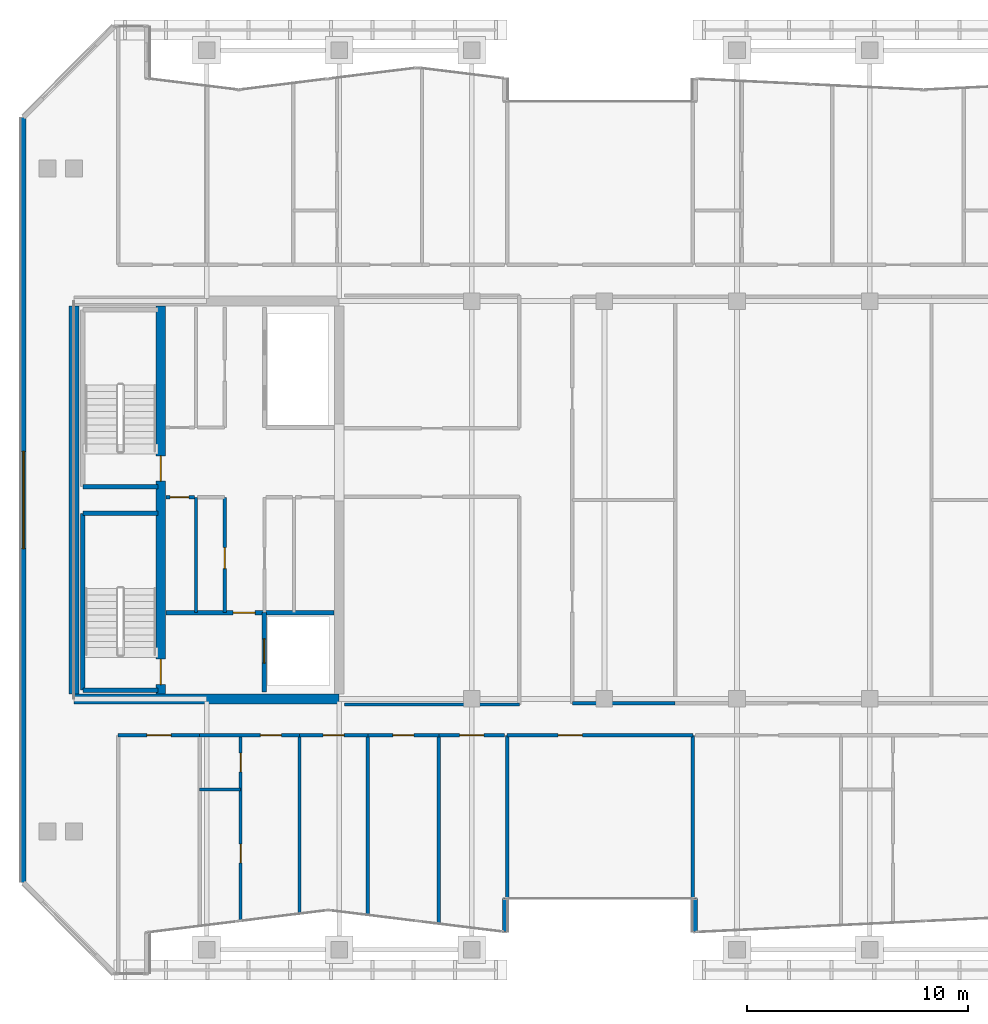
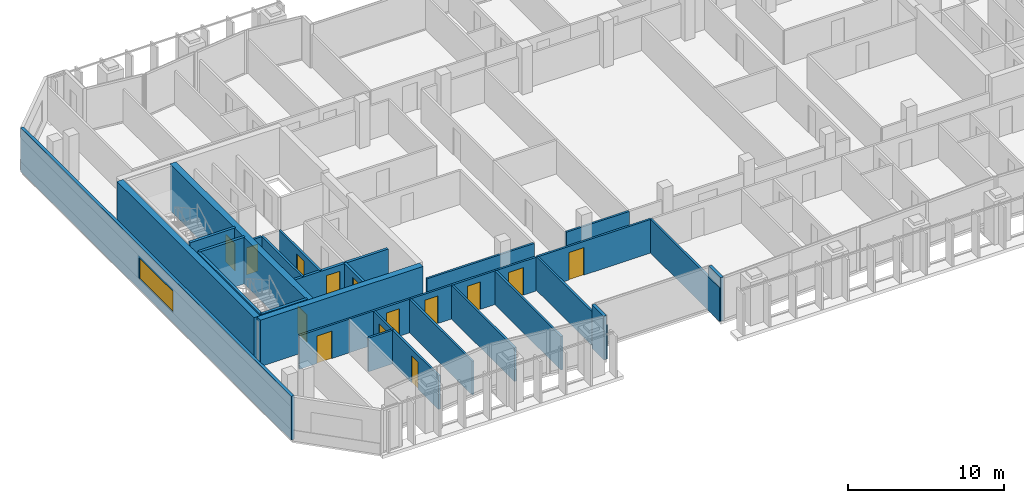
# One storey, part 21 of 32: 30 walls, 14 doors, 1 window, 15 openings.
"""IFC4 building model written with IfcOpenShell, lengths in metres."""

from ifc_helpers import new_model, si_unit, direction, frame, frame_2d, origin, place, context, subcontext, project, spatial, rectangle, extrude, material, layer, layer_set, type_object, element, fill, save


model = new_model("IFC4")

# Units and contexts
model_context = context("Model", 3, precision=1e-05, world=origin(), true_north=direction((0.0, 1.0)))
body_context = subcontext(model_context, "Body", "Model", "MODEL_VIEW")
ifc_project = project(units=[si_unit("LENGTHUNIT", "METRE"), si_unit("AREAUNIT", "SQUARE_METRE"), si_unit("VOLUMEUNIT", "CUBIC_METRE"), si_unit("PLANEANGLEUNIT", "RADIAN"), si_unit("MASSUNIT", "GRAM", prefix="KILO")], contexts=[model_context])

# Site, building, storey
site_placement = place(None, origin())
site = spatial("IfcSite", under=ifc_project, at=site_placement, CompositionType="ELEMENT")
building_placement = place(site_placement, origin())
building = spatial("IfcBuilding", under=site, at=building_placement, Name="Tanjung Sevakor Pilgrim Tower", CompositionType="ELEMENT")
storey_placement = place(building_placement, frame((0.0, 0.0, 211.860107421875)))
storey = spatial("IfcBuildingStorey", under=building, at=storey_placement, Name="L59", CompositionType="ELEMENT", Elevation=211.860107421875)

# Walls
ifc_material_1 = material(Name="Concrete C60/75", Category="concrete")
ifc_layer_1 = layer(ifc_material_1, 0.449951171875)
ifc_layer_set_1 = layer_set([ifc_layer_1], Name="WALL-CW-450")
wall_type_1 = type_object("IfcWallType", Name="WALL-CW-450", PredefinedType="SHEAR", material=ifc_layer_set_1)
wall_1_placement = place(storey_placement, frame((24.0, 24.60009765625, 0.0), z_axis=(0.0, 0.0, 1.0), x_axis=(1.0, 0.0, 0.0)))
element("IfcWall", 1, at=wall_1_placement, inside=storey, type_object=wall_type_1, Name="L59 W Core South Shear Wall", PredefinedType="SHEAR", context=body_context, shape_type="SweptSolid", body=[
    extrude(rectangle(XDim=12.0, YDim=0.449951171875, at=frame_2d((6.0, 0.0))), origin(), (0.0, 0.0, 1.0), 3.6298828125),
])
wall_2_placement = place(storey_placement, frame((24.0, 24.824951171875, 0.0), z_axis=(0.0, 0.0, 1.0), x_axis=(0.0, 1.0, 0.0)))
element("IfcWall", 2, at=wall_2_placement, inside=storey, type_object=wall_type_1, Name="L59 W Core Outer Shear Wall", PredefinedType="SHEAR", context=body_context, shape_type="SweptSolid", body=[
    extrude(rectangle(XDim=17.550048828125, YDim=0.449951171875, at=frame_2d((8.77490234375, 0.0))), origin(), (0.0, 0.0, 1.0), 3.6298828125),
])

# Wall, openings, doors
wall_3_placement = place(storey_placement, frame((27.925048828125, 24.824951171875, 0.0), z_axis=(0.0, 0.0, 1.0), x_axis=(0.0, 1.0, 0.0)))
wall_3 = element("IfcWall", 3, at=wall_3_placement, inside=storey, type_object=wall_type_1, Name="L59 W Core Stair Spine Wall", PredefinedType="SHEAR", context=body_context, shape_type="SweptSolid", body=[
    extrude(rectangle(XDim=17.550048828125, YDim=0.449951171875, at=frame_2d((8.77490234375, 0.0))), origin(), (0.0, 0.0, 1.0), 3.6298828125),
])
opening_1_placement = place(wall_3_placement, frame((0.425048828125, 0.0, 0.0)))
opening_1 = element("IfcOpeningElement", 4, at=opening_1_placement, cuts=wall_3, Name="Opening ID-ST1", PredefinedType="OPENING", context=body_context, shape_type="SweptSolid", body=[
    extrude(rectangle(XDim=1.14990234375, YDim=2.14990234375, at=frame_2d((0.574951171875, 1.074951171875))), frame((0.0, 0.23486328125, 0.0), z_axis=(0.0, -1.0, 0.0), x_axis=(1.0, 0.0, 0.0)), (0.0, 0.0, 1.0), 0.469970703125),
])
opening_2_placement = place(wall_3_placement, frame((9.625, 0.0, 0.0)))
opening_2 = element("IfcOpeningElement", 5, at=opening_2_placement, cuts=wall_3, Name="Opening ID-ST1", PredefinedType="OPENING", context=body_context, shape_type="SweptSolid", body=[
    extrude(rectangle(XDim=1.14990234375, YDim=2.14990234375, at=frame_2d((0.574951171875, 1.074951171875))), frame((0.0, 0.23486328125, 0.0), z_axis=(0.0, -1.0, 0.0), x_axis=(1.0, 0.0, 0.0)), (0.0, 0.0, 1.0), 0.469970703125),
])
ifc_material_2 = material(Name="Fire-Rated Steel S355J2", Category="steel")
door_type_1 = type_object("IfcDoorType", Name="DT-FIRE-1150", OperationType="NOTDEFINED", PredefinedType="DOOR", material=ifc_material_2)
door_1_placement = place(opening_1_placement, origin())
door_1 = element("IfcDoor", 6, at=door_1_placement, inside=storey, type_object=door_type_1, Name="L59 TS-W1 Stair Fire Door", OperationType="SINGLE_SWING_RIGHT", OverallHeight=2.14990234375, OverallWidth=1.14990234375, PredefinedType="DOOR", context=body_context, shape_type="SweptSolid", body=[
    extrude(rectangle(XDim=1.14990234375, YDim=2.14990234375, at=frame_2d((0.574951171875, 1.074951171875))), frame((0.0, 0.02490234375, 0.0), z_axis=(0.0, -1.0, 0.0), x_axis=(1.0, 0.0, 0.0)), (0.0, 0.0, 1.0), 0.050048828125),
])
fill(opening_1, door_1)
door_2_placement = place(opening_2_placement, origin())
door_2 = element("IfcDoor", 7, at=door_2_placement, inside=storey, type_object=door_type_1, Name="L59 TS-W2 Stair Fire Door", OperationType="SINGLE_SWING_LEFT", OverallHeight=2.14990234375, OverallWidth=1.14990234375, PredefinedType="DOOR", context=body_context, shape_type="SweptSolid", body=[
    extrude(rectangle(XDim=1.14990234375, YDim=2.14990234375, at=frame_2d((0.574951171875, 1.074951171875))), frame((0.0, 0.02490234375, 0.0), z_axis=(0.0, -1.0, 0.0), x_axis=(1.0, 0.0, 0.0)), (0.0, 0.0, 1.0), 0.050048828125),
])
fill(opening_2, door_2)

# Wall
ifc_material_3 = material(Name="Concrete C40/50", Category="concrete")
ifc_layer_2 = layer(ifc_material_3, 0.14990234375)
ifc_layer_set_2 = layer_set([ifc_layer_2], Name="WT-COMP-150")
wall_type_2 = type_object("IfcWallType", Name="WT-COMP-150", PredefinedType="SOLIDWALL", material=ifc_layer_set_2)
wall_4_placement = place(storey_placement, frame((29.52001953125, 28.5, 0.0), z_axis=(0.0, 0.0, 1.0), x_axis=(0.0, 1.0, 0.0)))
element("IfcWall", 8, at=wall_4_placement, inside=storey, type_object=wall_type_2, Name="L59 Partition IW-L59-003", PredefinedType="SOLIDWALL", context=body_context, shape_type="SweptSolid", body=[
    extrude(rectangle(XDim=5.219970703125, YDim=0.14990234375, at=frame_2d((2.60986328125, 0.0))), origin(), (0.0, 0.0, 1.0), 2.6298828125),
])

# Wall, opening, door
wall_5_placement = place(storey_placement, frame((28.169921875, 33.719970703125, 0.0), z_axis=(0.0, 0.0, 1.0), x_axis=(1.0, 0.0, 0.0)))
wall_5 = element("IfcWall", 9, at=wall_5_placement, inside=storey, type_object=wall_type_2, Name="L59 Partition IW-L59-004", PredefinedType="SOLIDWALL", context=body_context, shape_type="SweptSolid", body=[
    extrude(rectangle(XDim=1.280029296875, YDim=0.14990234375, at=frame_2d((0.64013671875, 0.0))), origin(), (0.0, 0.0, 1.0), 2.6298828125),
])
opening_3_placement = place(wall_5_placement, frame((0.179931640625, 0.0, 0.0)))
opening_3 = element("IfcOpeningElement", 10, at=opening_3_placement, cuts=wall_5, Name="Opening ID-FD3", PredefinedType="OPENING", context=body_context, shape_type="SweptSolid", body=[
    extrude(rectangle(XDim=0.85009765625, YDim=2.10009765625, at=frame_2d((0.425048828125, 1.050048828125))), frame((0.0, 0.0849609375, 0.0), z_axis=(0.0, -1.0, 0.0), x_axis=(1.0, 0.0, 0.0)), (0.0, 0.0, 1.0), 0.169921875),
])
ifc_material_4 = material(Name="Fire-Rated Timber", Category="wood")
door_type_2 = type_object("IfcDoorType", Name="DT-FIRE-850", OperationType="NOTDEFINED", PredefinedType="DOOR", material=ifc_material_4)
door_3_placement = place(opening_3_placement, origin())
door_3 = element("IfcDoor", 11, at=door_3_placement, inside=storey, type_object=door_type_2, Name="L59 Cleaner Store Door", OperationType="SINGLE_SWING_LEFT", OverallHeight=2.10009765625, OverallWidth=0.85009765625, PredefinedType="DOOR", context=body_context, shape_type="SweptSolid", body=[
    extrude(rectangle(XDim=0.85009765625, YDim=2.10009765625, at=frame_2d((0.425048828125, 1.050048828125))), frame((0.0, 0.02490234375, 0.0), z_axis=(0.0, -1.0, 0.0), x_axis=(1.0, 0.0, 0.0)), (0.0, 0.0, 1.0), 0.050048828125),
])
fill(opening_3, door_3)

wall_6_placement = place(storey_placement, frame((30.820068359375, 28.5, 0.0), z_axis=(0.0, 0.0, 1.0), x_axis=(0.0, 1.0, 0.0)))
wall_6 = element("IfcWall", 12, at=wall_6_placement, inside=storey, type_object=wall_type_2, Name="L59 Partition IW-L59-006", PredefinedType="SOLIDWALL", context=body_context, shape_type="SweptSolid", body=[
    extrude(rectangle(XDim=5.219970703125, YDim=0.14990234375, at=frame_2d((2.60986328125, 0.0))), origin(), (0.0, 0.0, 1.0), 2.6298828125),
])
opening_4_placement = place(wall_6_placement, frame((2.0, 0.0, 0.0)))
opening_4 = element("IfcOpeningElement", 13, at=opening_4_placement, cuts=wall_6, Name="Opening ID-FD2", PredefinedType="OPENING", context=body_context, shape_type="SweptSolid", body=[
    extrude(rectangle(XDim=0.949951171875, YDim=2.14990234375, at=frame_2d((0.47509765625, 1.074951171875))), frame((0.0, 0.0849609375, 0.0), z_axis=(0.0, -1.0, 0.0), x_axis=(1.0, 0.0, 0.0)), (0.0, 0.0, 1.0), 0.169921875),
])
ifc_material_5 = material(Name="Fire-Rated Timber", Category="wood")
door_type_3 = type_object("IfcDoorType", Name="DT-FIRE-950", OperationType="NOTDEFINED", PredefinedType="DOOR", material=ifc_material_5)
door_4_placement = place(opening_4_placement, origin())
door_4 = element("IfcDoor", 14, at=door_4_placement, inside=storey, type_object=door_type_3, Name="L59 Housekeeping Pantry Door", OperationType="SINGLE_SWING_RIGHT", OverallHeight=2.14990234375, OverallWidth=0.949951171875, PredefinedType="DOOR", context=body_context, shape_type="SweptSolid", body=[
    extrude(rectangle(XDim=0.949951171875, YDim=2.14990234375, at=frame_2d((0.47509765625, 1.074951171875))), frame((0.0, 0.02490234375, 0.0), z_axis=(0.0, -1.0, 0.0), x_axis=(1.0, 0.0, 0.0)), (0.0, 0.0, 1.0), 0.050048828125),
])
fill(opening_4, door_4)

# Walls
wall_7_placement = place(storey_placement, frame((36.2451171875, 24.35009765625, 0.0), z_axis=(0.0, 0.0, 1.0), x_axis=(1.0, 0.0, 0.0)))
element("IfcWall", 15, at=wall_7_placement, inside=storey, type_object=wall_type_2, Name="L59 Partition IW-L59-033", PredefinedType="SOLIDWALL", context=body_context, shape_type="SweptSolid", body=[
    extrude(rectangle(XDim=7.90478515625, YDim=0.14990234375, at=frame_2d((3.952392578125, 0.0))), origin(), (0.0, 0.0, 1.0), 2.6298828125),
])
wall_8_placement = place(storey_placement, frame((46.550048828125, 24.39990234375, 0.0), z_axis=(0.0, 0.0, 1.0), x_axis=(1.0, 0.0, 0.0)))
element("IfcWall", 16, at=wall_8_placement, inside=storey, type_object=wall_type_2, Name="L59 Partition IW-L59-045", PredefinedType="SOLIDWALL", context=body_context, shape_type="SweptSolid", body=[
    extrude(rectangle(XDim=4.64990234375, YDim=0.14990234375, at=frame_2d((2.324951171875, 0.0))), origin(), (0.0, 0.0, 1.0), 2.6298828125),
])

# Wall, opening, door
wall_9_placement = place(storey_placement, frame((43.60009765625, 22.949951171875, 0.0), z_axis=(0.0, 0.0, 1.0), x_axis=(1.0, 0.0, 0.0)))
wall_9 = element("IfcWall", 17, at=wall_9_placement, inside=storey, type_object=wall_type_2, Name="L59 Partition IW-L59-059", PredefinedType="SOLIDWALL", context=body_context, shape_type="SweptSolid", body=[
    extrude(rectangle(XDim=8.39990234375, YDim=0.14990234375, at=frame_2d((4.199951171875, 0.0))), origin(), (0.0, 0.0, 1.0), 2.6298828125),
])
opening_5_placement = place(wall_9_placement, frame((2.300048828125, 0.0, 0.0)))
opening_5 = element("IfcOpeningElement", 18, at=opening_5_placement, cuts=wall_9, Name="Opening ID-RM2", PredefinedType="OPENING", context=body_context, shape_type="SweptSolid", body=[
    extrude(rectangle(XDim=1.10009765625, YDim=2.14990234375, at=frame_2d((0.550048828125, 1.074951171875))), frame((0.0, 0.0849609375, 0.0), z_axis=(0.0, -1.0, 0.0), x_axis=(1.0, 0.0, 0.0)), (0.0, 0.0, 1.0), 0.169921875),
])
ifc_material_6 = material(Name="Hardwood Timber", Category="wood")
door_type_4 = type_object("IfcDoorType", Name="DT-INT-1100", OperationType="NOTDEFINED", PredefinedType="DOOR", material=ifc_material_6)
door_5_placement = place(opening_5_placement, origin())
door_5 = element("IfcDoor", 19, at=door_5_placement, inside=storey, type_object=door_type_4, Name="L59 South Cleft Tea Sanctuary Door", OperationType="SINGLE_SWING_RIGHT", OverallHeight=2.14990234375, OverallWidth=1.10009765625, PredefinedType="DOOR", context=body_context, shape_type="SweptSolid", body=[
    extrude(rectangle(XDim=1.10009765625, YDim=2.14990234375, at=frame_2d((0.550048828125, 1.074951171875))), frame((0.0, 0.02490234375, 0.0), z_axis=(0.0, -1.0, 0.0), x_axis=(1.0, 0.0, 0.0)), (0.0, 0.0, 1.0), 0.050048828125),
])
fill(opening_5, door_5)

# Walls
wall_10_placement = place(storey_placement, frame((43.60009765625, 14.0556640625, 0.0), z_axis=(0.0, 0.0, 1.0), x_axis=(0.0, 1.0, 0.0)))
element("IfcWall", 20, at=wall_10_placement, inside=storey, type_object=wall_type_2, Name="L59 Partition IW-L59-060", PredefinedType="SOLIDWALL", context=body_context, shape_type="SweptSolid", body=[
    extrude(rectangle(XDim=8.894287109375, YDim=0.14990234375, at=frame_2d((4.447265625, 0.0))), origin(), (0.0, 0.0, 1.0), 2.6298828125),
])
wall_11_placement = place(storey_placement, frame((52.0, 14.0458984375, 0.0), z_axis=(0.0, 0.0, 1.0), x_axis=(0.0, 1.0, 0.0)))
element("IfcWall", 21, at=wall_11_placement, inside=storey, type_object=wall_type_2, Name="L59 Partition IW-L59-061", PredefinedType="SOLIDWALL", context=body_context, shape_type="SweptSolid", body=[
    extrude(rectangle(XDim=8.904052734375, YDim=0.14990234375, at=frame_2d((4.4521484375, 0.0))), origin(), (0.0, 0.0, 1.0), 2.6298828125),
])

# Wall, opening, door
wall_12_placement = place(storey_placement, frame((26.0, 22.949951171875, 0.0), z_axis=(0.0, 0.0, 1.0), x_axis=(1.0, 0.0, 0.0)))
wall_12 = element("IfcWall", 22, at=wall_12_placement, inside=storey, type_object=wall_type_2, Name="L59 Partition IW-L59-067", PredefinedType="SOLIDWALL", context=body_context, shape_type="SweptSolid", body=[
    extrude(rectangle(XDim=3.686279296875, YDim=0.14990234375, at=frame_2d((1.84326171875, 0.0))), origin(), (0.0, 0.0, 1.0), 2.6298828125),
])
opening_6_placement = place(wall_12_placement, frame((1.293212890625, 0.0, 0.0)))
opening_6 = element("IfcOpeningElement", 23, at=opening_6_placement, cuts=wall_12, Name="Opening ID-FD0", PredefinedType="OPENING", context=body_context, shape_type="SweptSolid", body=[
    extrude(rectangle(XDim=1.10009765625, YDim=2.14990234375, at=frame_2d((0.550048828125, 1.074951171875))), frame((0.0, 0.0849609375, 0.0), z_axis=(0.0, -1.0, 0.0), x_axis=(1.0, 0.0, 0.0)), (0.0, 0.0, 1.0), 0.169921875),
])
ifc_material_7 = material(Name="Fire-Rated Steel S355J2", Category="steel")
door_type_5 = type_object("IfcDoorType", Name="DT-FIRE-1100", OperationType="NOTDEFINED", PredefinedType="DOOR", material=ifc_material_7)
door_6_placement = place(opening_6_placement, origin())
door_6 = element("IfcDoor", 24, at=door_6_placement, inside=storey, type_object=door_type_5, Name="Communal Lounge Door", OperationType="SINGLE_SWING_RIGHT", OverallHeight=2.14990234375, OverallWidth=1.10009765625, PredefinedType="DOOR", context=body_context, shape_type="SweptSolid", body=[
    extrude(rectangle(XDim=1.10009765625, YDim=2.14990234375, at=frame_2d((0.550048828125, 1.074951171875))), frame((0.0, 0.02490234375, 0.0), z_axis=(0.0, -1.0, 0.0), x_axis=(1.0, 0.0, 0.0)), (0.0, 0.0, 1.0), 0.050048828125),
])
fill(opening_6, door_6)

# Wall
wall_13_placement = place(storey_placement, frame((34.204833984375, 14.880859375, 0.0), z_axis=(0.0, 0.0, 1.0), x_axis=(0.0, 1.0, 0.0)))
element("IfcWall", 25, at=wall_13_placement, inside=storey, type_object=wall_type_2, Name="L59 Partition IW-L59-068", PredefinedType="SOLIDWALL", context=body_context, shape_type="SweptSolid", body=[
    extrude(rectangle(XDim=8.069091796875, YDim=0.14990234375, at=frame_2d((4.03466796875, 0.0))), origin(), (0.0, 0.0, 1.0), 2.6298828125),
])

# Wall, opening, door
wall_14_placement = place(storey_placement, frame((29.686279296875, 22.949951171875, 0.0), z_axis=(0.0, 0.0, 1.0), x_axis=(1.0, 0.0, 0.0)))
wall_14 = element("IfcWall", 26, at=wall_14_placement, inside=storey, type_object=wall_type_2, Name="L59 Partition IW-L59-071", PredefinedType="SOLIDWALL", context=body_context, shape_type="SweptSolid", body=[
    extrude(rectangle(XDim=4.5185546875, YDim=0.14990234375, at=frame_2d((2.25927734375, 0.0))), origin(), (0.0, 0.0, 1.0), 2.6298828125),
])
opening_7_placement = place(wall_14_placement, frame((2.749267578125, 0.0, 0.0)))
opening_7 = element("IfcOpeningElement", 27, at=opening_7_placement, cuts=wall_14, Name="Opening ID-FD2", PredefinedType="OPENING", context=body_context, shape_type="SweptSolid", body=[
    extrude(rectangle(XDim=0.949951171875, YDim=2.14990234375, at=frame_2d((0.47509765625, 1.074951171875))), frame((0.0, 0.0849609375, 0.0), z_axis=(0.0, -1.0, 0.0), x_axis=(1.0, 0.0, 0.0)), (0.0, 0.0, 1.0), 0.169921875),
])
door_7_placement = place(opening_7_placement, origin())
door_7 = element("IfcDoor", 28, at=door_7_placement, inside=storey, type_object=door_type_3, Name="Hostel Quad Entrance", OperationType="SINGLE_SWING_LEFT", OverallHeight=2.14990234375, OverallWidth=0.949951171875, PredefinedType="DOOR", context=body_context, shape_type="SweptSolid", body=[
    extrude(rectangle(XDim=0.949951171875, YDim=2.14990234375, at=frame_2d((0.47509765625, 1.074951171875))), frame((0.0, 0.02490234375, 0.0), z_axis=(0.0, -1.0, 0.0), x_axis=(1.0, 0.0, 0.0)), (0.0, 0.0, 1.0), 0.050048828125),
])
fill(opening_7, door_7)

# Wall
wall_15_placement = place(storey_placement, frame((37.296630859375, 14.819091796875, 0.0), z_axis=(0.0, 0.0, 1.0), x_axis=(0.0, 1.0, 0.0)))
element("IfcWall", 29, at=wall_15_placement, inside=storey, type_object=wall_type_2, Name="L59 Partition IW-L59-072", PredefinedType="SOLIDWALL", context=body_context, shape_type="SweptSolid", body=[
    extrude(rectangle(XDim=8.130859375, YDim=0.14990234375, at=frame_2d((4.0654296875, 0.0))), origin(), (0.0, 0.0, 1.0), 2.6298828125),
])

# Wall, opening, door
wall_16_placement = place(storey_placement, frame((34.204833984375, 22.949951171875, 0.0), z_axis=(0.0, 0.0, 1.0), x_axis=(1.0, 0.0, 0.0)))
wall_16 = element("IfcWall", 30, at=wall_16_placement, inside=storey, type_object=wall_type_2, Name="L59 Partition IW-L59-073", PredefinedType="SOLIDWALL", context=body_context, shape_type="SweptSolid", body=[
    extrude(rectangle(XDim=3.091796875, YDim=0.14990234375, at=frame_2d((1.5458984375, 0.0))), origin(), (0.0, 0.0, 1.0), 2.6298828125),
])
opening_8_placement = place(wall_16_placement, frame((1.07080078125, 0.0, 0.0)))
opening_8 = element("IfcOpeningElement", 31, at=opening_8_placement, cuts=wall_16, Name="Opening ID-FD2", PredefinedType="OPENING", context=body_context, shape_type="SweptSolid", body=[
    extrude(rectangle(XDim=0.949951171875, YDim=2.14990234375, at=frame_2d((0.47509765625, 1.074951171875))), frame((0.0, 0.0849609375, 0.0), z_axis=(0.0, -1.0, 0.0), x_axis=(1.0, 0.0, 0.0)), (0.0, 0.0, 1.0), 0.169921875),
])
door_8_placement = place(opening_8_placement, origin())
door_8 = element("IfcDoor", 32, at=door_8_placement, inside=storey, type_object=door_type_3, Name="Study Room Entrance", OperationType="SINGLE_SWING_RIGHT", OverallHeight=2.14990234375, OverallWidth=0.949951171875, PredefinedType="DOOR", context=body_context, shape_type="SweptSolid", body=[
    extrude(rectangle(XDim=0.949951171875, YDim=2.14990234375, at=frame_2d((0.47509765625, 1.074951171875))), frame((0.0, 0.02490234375, 0.0), z_axis=(0.0, -1.0, 0.0), x_axis=(1.0, 0.0, 0.0)), (0.0, 0.0, 1.0), 0.050048828125),
])
fill(opening_8, door_8)

# Wall
wall_17_placement = place(storey_placement, frame((40.507080078125, 14.422607421875, 0.0), z_axis=(0.0, 0.0, 1.0), x_axis=(0.0, 1.0, 0.0)))
element("IfcWall", 33, at=wall_17_placement, inside=storey, type_object=wall_type_2, Name="L59 Partition IW-L59-074", PredefinedType="SOLIDWALL", context=body_context, shape_type="SweptSolid", body=[
    extrude(rectangle(XDim=8.52734375, YDim=0.14990234375, at=frame_2d((4.263671875, 0.0))), origin(), (0.0, 0.0, 1.0), 2.6298828125),
])

# Wall, opening, door
wall_18_placement = place(storey_placement, frame((37.296630859375, 22.949951171875, 0.0), z_axis=(0.0, 0.0, 1.0), x_axis=(1.0, 0.0, 0.0)))
wall_18 = element("IfcWall", 34, at=wall_18_placement, inside=storey, type_object=wall_type_2, Name="L59 Partition IW-L59-075", PredefinedType="SOLIDWALL", context=body_context, shape_type="SweptSolid", body=[
    extrude(rectangle(XDim=3.21044921875, YDim=0.14990234375, at=frame_2d((1.605224609375, 0.0))), origin(), (0.0, 0.0, 1.0), 2.6298828125),
])
opening_9_placement = place(wall_18_placement, frame((1.13037109375, 0.0, 0.0)))
opening_9 = element("IfcOpeningElement", 35, at=opening_9_placement, cuts=wall_18, Name="Opening ID-FD2", PredefinedType="OPENING", context=body_context, shape_type="SweptSolid", body=[
    extrude(rectangle(XDim=0.949951171875, YDim=2.14990234375, at=frame_2d((0.47509765625, 1.074951171875))), frame((0.0, 0.0849609375, 0.0), z_axis=(0.0, -1.0, 0.0), x_axis=(1.0, 0.0, 0.0)), (0.0, 0.0, 1.0), 0.169921875),
])
door_9_placement = place(opening_9_placement, origin())
door_9 = element("IfcDoor", 36, at=door_9_placement, inside=storey, type_object=door_type_3, Name="Study Room Entrance", OperationType="SINGLE_SWING_LEFT", OverallHeight=2.14990234375, OverallWidth=0.949951171875, PredefinedType="DOOR", context=body_context, shape_type="SweptSolid", body=[
    extrude(rectangle(XDim=0.949951171875, YDim=2.14990234375, at=frame_2d((0.47509765625, 1.074951171875))), frame((0.0, 0.02490234375, 0.0), z_axis=(0.0, -1.0, 0.0), x_axis=(1.0, 0.0, 0.0)), (0.0, 0.0, 1.0), 0.050048828125),
])
fill(opening_9, door_9)

wall_19_placement = place(storey_placement, frame((40.507080078125, 22.949951171875, 0.0), z_axis=(0.0, 0.0, 1.0), x_axis=(1.0, 0.0, 0.0)))
wall_19 = element("IfcWall", 37, at=wall_19_placement, inside=storey, type_object=wall_type_2, Name="L59 Partition IW-L59-076", PredefinedType="SOLIDWALL", context=body_context, shape_type="SweptSolid", body=[
    extrude(rectangle(XDim=2.972900390625, YDim=0.14990234375, at=frame_2d((1.486328125, 0.0))), origin(), (0.0, 0.0, 1.0), 2.6298828125),
])
opening_10_placement = place(wall_19_placement, frame((0.936279296875, 0.0, 0.0)))
opening_10 = element("IfcOpeningElement", 38, at=opening_10_placement, cuts=wall_19, Name="Opening ID-FD0", PredefinedType="OPENING", context=body_context, shape_type="SweptSolid", body=[
    extrude(rectangle(XDim=1.10009765625, YDim=2.14990234375, at=frame_2d((0.550048828125, 1.074951171875))), frame((0.0, 0.0849609375, 0.0), z_axis=(0.0, -1.0, 0.0), x_axis=(1.0, 0.0, 0.0)), (0.0, 0.0, 1.0), 0.169921875),
])
door_10_placement = place(opening_10_placement, origin())
door_10 = element("IfcDoor", 39, at=door_10_placement, inside=storey, type_object=door_type_5, Name="Communal Lounge Door", OperationType="SINGLE_SWING_RIGHT", OverallHeight=2.14990234375, OverallWidth=1.10009765625, PredefinedType="DOOR", context=body_context, shape_type="SweptSolid", body=[
    extrude(rectangle(XDim=1.10009765625, YDim=2.14990234375, at=frame_2d((0.550048828125, 1.074951171875))), frame((0.0, 0.02490234375, 0.0), z_axis=(0.0, -1.0, 0.0), x_axis=(1.0, 0.0, 0.0)), (0.0, 0.0, 1.0), 0.050048828125),
])
fill(opening_10, door_10)

# Walls
ifc_material_8 = material(Name="Precast concrete C45/55", Category="concrete")
ifc_layer_3 = layer(ifc_material_8, 0.219970703125)
ifc_layer_set_3 = layer_set([ifc_layer_3], Name="WT-EW-STN4")
wall_type_3 = type_object("IfcWallType", Name="WT-EW-STN4", PredefinedType="SOLIDWALL", material=ifc_layer_set_3)
wall_20_placement = place(storey_placement, frame((43.489990234375, 14.054443359375, 0.0), z_axis=(0.0, 0.0, 1.0), x_axis=(0.0, 1.0, 0.0)))
element("IfcWall", 40, at=wall_20_placement, inside=storey, type_object=wall_type_3, Name="L59 MAIN Exterior Wall 7", PredefinedType="SOLIDWALL", context=body_context, shape_type="SweptSolid", body=[
    extrude(rectangle(XDim=1.505615234375, YDim=0.219970703125, at=frame_2d((0.7529296875, 0.0))), origin(), (0.0, 0.0, 1.0), 3.409912109375),
])
wall_21_placement = place(storey_placement, frame((52.110107421875, 15.56005859375, 0.0), z_axis=(0.0, 0.0, 1.0), x_axis=(0.0, -1.0, 0.0)))
element("IfcWall", 41, at=wall_21_placement, inside=storey, type_object=wall_type_3, Name="L59 MAIN Exterior Wall 9", PredefinedType="SOLIDWALL", context=body_context, shape_type="SweptSolid", body=[
    extrude(rectangle(XDim=1.5146484375, YDim=0.219970703125, at=frame_2d((0.75732421875, 0.0))), origin(), (0.0, 0.0, 1.0), 3.409912109375),
])

# Wall, opening, window
wall_22_placement = place(storey_placement, frame((21.7099609375, 50.904296875, 0.0), z_axis=(0.0, 0.0, 1.0), x_axis=(0.0, -1.0, 0.0)))
wall_22 = element("IfcWall", 42, at=wall_22_placement, inside=storey, type_object=wall_type_3, Name="L59 MAIN Exterior Wall 35", PredefinedType="SOLIDWALL", context=body_context, shape_type="SweptSolid", body=[
    extrude(rectangle(XDim=34.608642578125, YDim=0.219970703125, at=frame_2d((17.30419921875, 0.0))), origin(), (0.0, 0.0, 1.0), 3.409912109375),
])
opening_11_placement = place(wall_22_placement, frame((15.1044921875, 0.0, 0.780029296875)))
opening_11 = element("IfcOpeningElement", 43, at=opening_11_placement, cuts=wall_22, Name="Opening WN-ENDW-1660", PredefinedType="OPENING", context=body_context, shape_type="SweptSolid", body=[
    extrude(rectangle(XDim=4.39990234375, YDim=1.659912109375, at=frame_2d((2.199951171875, 0.830078125))), frame((0.0, 0.119873046875, 0.0), z_axis=(0.0, -1.0, 0.0), x_axis=(1.0, 0.0, 0.0)), (0.0, 0.0, 1.0), 0.239990234375),
])
ifc_material_9 = material(Name="Thermally Broken Aluminium and Low-E Glass", Category="aluminium")
window_type = type_object("IfcWindowType", Name="WTYP-WN-ENDW-1660", PartitioningType="DOUBLE_PANEL_VERTICAL", PredefinedType="WINDOW", material=ifc_material_9)
window_placement = place(opening_11_placement, origin())
window = element("IfcWindow", 44, at=window_placement, inside=storey, type_object=window_type, Name="L59 Facade Window 01", OverallHeight=1.659912109375, OverallWidth=4.39990234375, PartitioningType="SINGLE_PANEL", PredefinedType="WINDOW", context=body_context, shape_type="SweptSolid", body=[
    extrude(rectangle(XDim=4.39990234375, YDim=1.659912109375, at=frame_2d((2.199951171875, 0.830078125))), frame((0.0, 0.030029296875, 0.0), z_axis=(0.0, -1.0, 0.0), x_axis=(1.0, 0.0, 0.0)), (0.0, 0.0, 1.0), 0.06005859375),
])
fill(opening_11, window)

# Walls
ifc_material_10 = material(Name="Concrete C40/50", Category="concrete")
ifc_layer_4 = layer(ifc_material_10, 0.199951171875)
ifc_layer_set_4 = layer_set([ifc_layer_4], Name="WT-FIRE-200")
wall_type_4 = type_object("IfcWallType", Name="WT-FIRE-200", PredefinedType="SOLIDWALL", material=ifc_layer_set_4)
for number, where, z_axis, x_axis, name in (
    (45, (24.39990234375, 25.0, 0.0), (0.0, 0.0, 1.0), (1.0, 0.0, 0.0), "L59 TS-W1 Shaft Wall 1"),
    (46, (27.800048828125, 33.0, 0.0), (0.0, 0.0, 1.0), (-1.0, 0.0, 0.0), "L59 TS-W1 Shaft Wall 2"),
):
    element("IfcWall", number, at=place(storey_placement, frame(where, z_axis=z_axis, x_axis=x_axis)), inside=storey, type_object=wall_type_4, Name=name, PredefinedType="SOLIDWALL", context=body_context, shape_type="SweptSolid", body=[
        extrude(rectangle(XDim=3.400146484375, YDim=0.199951171875, at=frame_2d((1.7001953125, 0.0))), origin(), (0.0, 0.0, 1.0), 3.6298828125),
    ])
wall_23_placement = place(storey_placement, frame((24.39990234375, 33.0, 0.0), z_axis=(0.0, 0.0, 1.0), x_axis=(0.0, -1.0, 0.0)))
element("IfcWall", 47, at=wall_23_placement, inside=storey, type_object=wall_type_4, Name="L59 TS-W1 Shaft Wall 3", PredefinedType="SOLIDWALL", context=body_context, shape_type="SweptSolid", body=[
    extrude(rectangle(XDim=8.0, YDim=0.199951171875, at=frame_2d((4.0, 0.0))), origin(), (0.0, 0.0, 1.0), 3.6298828125),
])
wall_24_placement = place(storey_placement, frame((24.39990234375, 34.199951171875, 0.0), z_axis=(0.0, 0.0, 1.0), x_axis=(1.0, 0.0, 0.0)))
element("IfcWall", 48, at=wall_24_placement, inside=storey, type_object=wall_type_4, Name="L59 TS-W2 Shaft Wall 1", PredefinedType="SOLIDWALL", context=body_context, shape_type="SweptSolid", body=[
    extrude(rectangle(XDim=3.400146484375, YDim=0.199951171875, at=frame_2d((1.7001953125, 0.0))), origin(), (0.0, 0.0, 1.0), 3.6298828125),
])

# Wall, opening, door
ifc_material_11 = material(Name="Concrete C40/50", Category="concrete")
ifc_layer_5 = layer(ifc_material_11, 0.199951171875)
ifc_layer_set_5 = layer_set([ifc_layer_5], Name="WT-FPRT-200")
wall_type_5 = type_object("IfcWallType", Name="WT-FPRT-200", PredefinedType="SOLIDWALL", material=ifc_layer_set_5)
wall_25_placement = place(storey_placement, frame((32.60009765625, 24.919921875, 0.0), z_axis=(0.0, 0.0, 1.0), x_axis=(0.0, 1.0, 0.0)))
wall_25 = element("IfcWall", 49, at=wall_25_placement, inside=storey, type_object=wall_type_5, Name="L59 Partition IW-L59-001", PredefinedType="SOLIDWALL", context=body_context, shape_type="SweptSolid", body=[
    extrude(rectangle(XDim=3.580078125, YDim=0.199951171875, at=frame_2d((1.7900390625, 0.0))), origin(), (0.0, 0.0, 1.0), 2.6298828125),
])
opening_12_placement = place(wall_25_placement, frame((1.300048828125, 0.0, 0.0)))
opening_12 = element("IfcOpeningElement", 50, at=opening_12_placement, cuts=wall_25, Name="Opening LD-1100", PredefinedType="OPENING", context=body_context, shape_type="SweptSolid", body=[
    extrude(rectangle(XDim=1.10009765625, YDim=2.199951171875, at=frame_2d((0.550048828125, 1.10009765625))), frame((0.0, 0.10986328125, 0.0), z_axis=(0.0, -1.0, 0.0), x_axis=(1.0, 0.0, 0.0)), (0.0, 0.0, 1.0), 0.219970703125),
])
ifc_material_12 = material(Name="Brushed Stainless Steel S355J2", Category="steel")
door_type_6 = type_object("IfcDoorType", Name="DT-LIFT-1100", OperationType="SLIDING_TO_LEFT", PredefinedType="DOOR", material=ifc_material_12)
door_11_placement = place(opening_12_placement, origin())
door_11 = element("IfcDoor", 51, at=door_11_placement, inside=storey, type_object=door_type_6, Name="LD-FL-W", OperationType="SLIDING_TO_LEFT", OverallHeight=2.199951171875, OverallWidth=1.10009765625, PredefinedType="DOOR", context=body_context, shape_type="SweptSolid", body=[
    extrude(rectangle(XDim=1.10009765625, YDim=2.199951171875, at=frame_2d((0.550048828125, 1.10009765625))), frame((0.0, 0.02490234375, 0.0), z_axis=(0.0, -1.0, 0.0), x_axis=(1.0, 0.0, 0.0)), (0.0, 0.0, 1.0), 0.050048828125),
])
fill(opening_12, door_11)

wall_26_placement = place(storey_placement, frame((28.169921875, 28.5, 0.0), z_axis=(0.0, 0.0, 1.0), x_axis=(1.0, 0.0, 0.0)))
wall_26 = element("IfcWall", 52, at=wall_26_placement, inside=storey, type_object=wall_type_5, Name="L59 Partition IW-L59-002", PredefinedType="SOLIDWALL", context=body_context, shape_type="SweptSolid", body=[
    extrude(rectangle(XDim=7.5849609375, YDim=0.199951171875, at=frame_2d((3.79248046875, 0.0))), origin(), (0.0, 0.0, 1.0), 2.6298828125),
])
opening_13_placement = place(wall_26_placement, frame((3.030029296875, 0.0, 0.0)))
opening_13 = element("IfcOpeningElement", 53, at=opening_13_placement, cuts=wall_26, Name="Opening ID-FD1", PredefinedType="OPENING", context=body_context, shape_type="SweptSolid", body=[
    extrude(rectangle(XDim=1.0, YDim=2.14990234375, at=frame_2d((0.5, 1.074951171875))), frame((0.0, 0.10986328125, 0.0), z_axis=(0.0, -1.0, 0.0), x_axis=(1.0, 0.0, 0.0)), (0.0, 0.0, 1.0), 0.219970703125),
])
ifc_material_13 = material(Name="Fire-Rated Steel S355J2", Category="steel")
door_type_7 = type_object("IfcDoorType", Name="DT-FIRE-1000", OperationType="NOTDEFINED", PredefinedType="DOOR", material=ifc_material_13)
door_12_placement = place(opening_13_placement, origin())
door_12 = element("IfcDoor", 54, at=door_12_placement, inside=storey, type_object=door_type_7, Name="Fire Lobby Door W", OperationType="SINGLE_SWING_RIGHT", OverallHeight=2.14990234375, OverallWidth=1.0, PredefinedType="DOOR", context=body_context, shape_type="SweptSolid", body=[
    extrude(rectangle(XDim=1.0, YDim=2.14990234375, at=frame_2d((0.5, 1.074951171875))), frame((0.0, 0.02490234375, 0.0), z_axis=(0.0, -1.0, 0.0), x_axis=(1.0, 0.0, 0.0)), (0.0, 0.0, 1.0), 0.050048828125),
])
fill(opening_13, door_12)

# Wall
ifc_material_14 = material(Name="Gypsum Board Partition", Category="gypsum board")
ifc_layer_6 = layer(ifc_material_14, 0.14990234375)
ifc_layer_set_6 = layer_set([ifc_layer_6], Name="WT-PART-150")
wall_type_6 = type_object("IfcWallType", Name="WT-PART-150", PredefinedType="PARTITIONING", material=ifc_layer_set_6)
wall_27_placement = place(storey_placement, frame((29.686279296875, 20.5, 0.0), z_axis=(0.0, 0.0, 1.0), x_axis=(1.0, 0.0, 0.0)))
element("IfcWall", 55, at=wall_27_placement, inside=storey, type_object=wall_type_6, Name="L59 Partition IW-L59-069", PredefinedType="PARTITIONING", context=body_context, shape_type="SweptSolid", body=[
    extrude(rectangle(XDim=1.85009765625, YDim=0.14990234375, at=frame_2d((0.925048828125, 0.0))), origin(), (0.0, 0.0, 1.0), 2.6298828125),
])

# Wall, openings, doors
wall_28_placement = place(storey_placement, frame((31.536376953125, 14.551513671875, 0.0), z_axis=(0.0, 0.0, 1.0), x_axis=(0.0, 1.0, 0.0)))
wall_28 = element("IfcWall", 56, at=wall_28_placement, inside=storey, type_object=wall_type_6, Name="L59 Partition IW-L59-070", PredefinedType="PARTITIONING", context=body_context, shape_type="SweptSolid", body=[
    extrude(rectangle(XDim=8.3984375, YDim=0.14990234375, at=frame_2d((4.19921875, 0.0))), origin(), (0.0, 0.0, 1.0), 2.6298828125),
])
opening_14_placement = place(wall_28_placement, frame((2.62841796875, 0.0, 0.0)))
opening_14 = element("IfcOpeningElement", 57, at=opening_14_placement, cuts=wall_28, Name="Opening ID-WC1", PredefinedType="OPENING", context=body_context, shape_type="SweptSolid", body=[
    extrude(rectangle(XDim=0.85009765625, YDim=2.10009765625, at=frame_2d((0.425048828125, 1.050048828125))), frame((0.0, 0.0849609375, 0.0), z_axis=(0.0, -1.0, 0.0), x_axis=(1.0, 0.0, 0.0)), (0.0, 0.0, 1.0), 0.169921875),
])
opening_15_placement = place(wall_28_placement, frame((6.74853515625, 0.0, 0.0)))
opening_15 = element("IfcOpeningElement", 58, at=opening_15_placement, cuts=wall_28, Name="Opening ID-WC1", PredefinedType="OPENING", context=body_context, shape_type="SweptSolid", body=[
    extrude(rectangle(XDim=0.85009765625, YDim=2.10009765625, at=frame_2d((0.425048828125, 1.050048828125))), frame((0.0, 0.0849609375, 0.0), z_axis=(0.0, -1.0, 0.0), x_axis=(1.0, 0.0, 0.0)), (0.0, 0.0, 1.0), 0.169921875),
])
ifc_material_15 = material(Name="Moisture-Resistant Timber", Category="wood")
door_type_8 = type_object("IfcDoorType", Name="DT-INT-850", OperationType="NOTDEFINED", PredefinedType="DOOR", material=ifc_material_15)
door_13_placement = place(opening_14_placement, origin())
door_13 = element("IfcDoor", 59, at=door_13_placement, inside=storey, type_object=door_type_8, Name="Study Nook Door", OperationType="SINGLE_SWING_LEFT", OverallHeight=2.10009765625, OverallWidth=0.85009765625, PredefinedType="DOOR", context=body_context, shape_type="SweptSolid", body=[
    extrude(rectangle(XDim=0.85009765625, YDim=2.10009765625, at=frame_2d((0.425048828125, 1.050048828125))), frame((0.0, 0.02490234375, 0.0), z_axis=(0.0, -1.0, 0.0), x_axis=(1.0, 0.0, 0.0)), (0.0, 0.0, 1.0), 0.050048828125),
])
fill(opening_14, door_13)
door_14_placement = place(opening_15_placement, origin())
door_14 = element("IfcDoor", 60, at=door_14_placement, inside=storey, type_object=door_type_8, Name="Bathroom Door", OperationType="SINGLE_SWING_RIGHT", OverallHeight=2.10009765625, OverallWidth=0.85009765625, PredefinedType="DOOR", context=body_context, shape_type="SweptSolid", body=[
    extrude(rectangle(XDim=0.85009765625, YDim=2.10009765625, at=frame_2d((0.425048828125, 1.050048828125))), frame((0.0, 0.02490234375, 0.0), z_axis=(0.0, -1.0, 0.0), x_axis=(1.0, 0.0, 0.0)), (0.0, 0.0, 1.0), 0.050048828125),
])
fill(opening_15, door_14)

save(model, "model.ifc")
